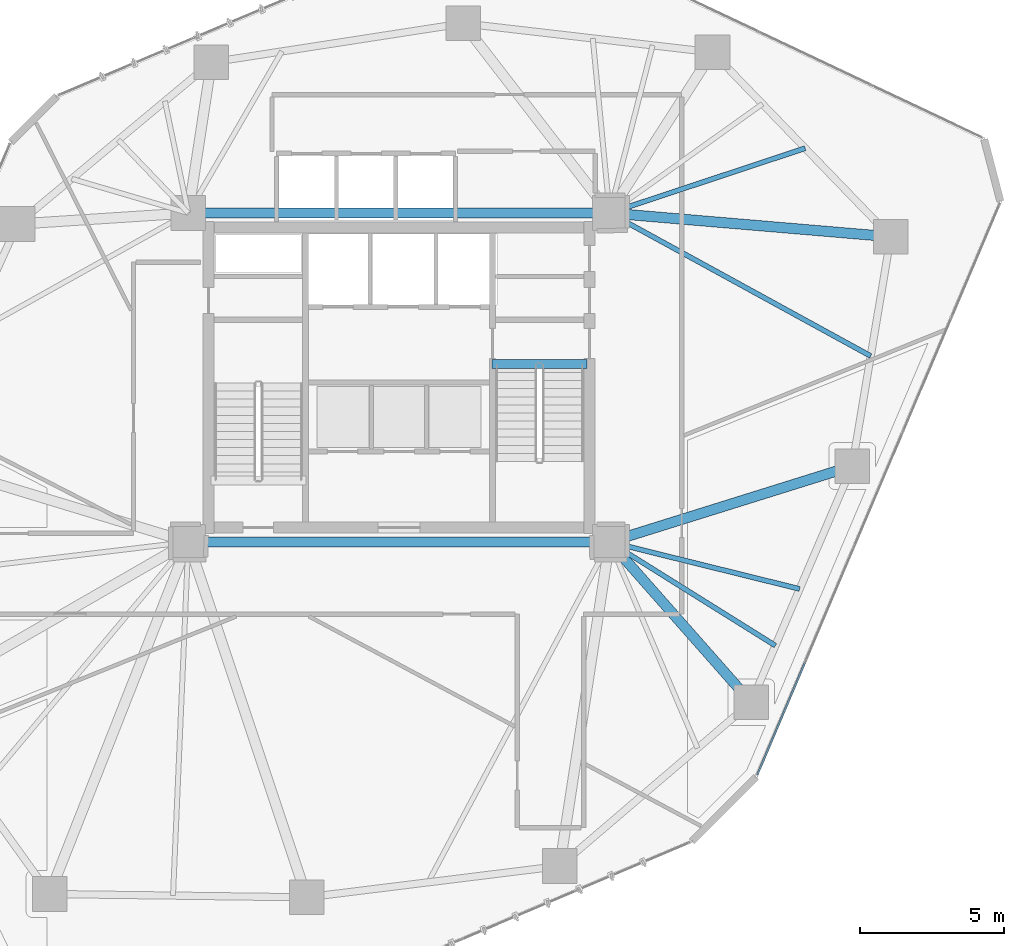
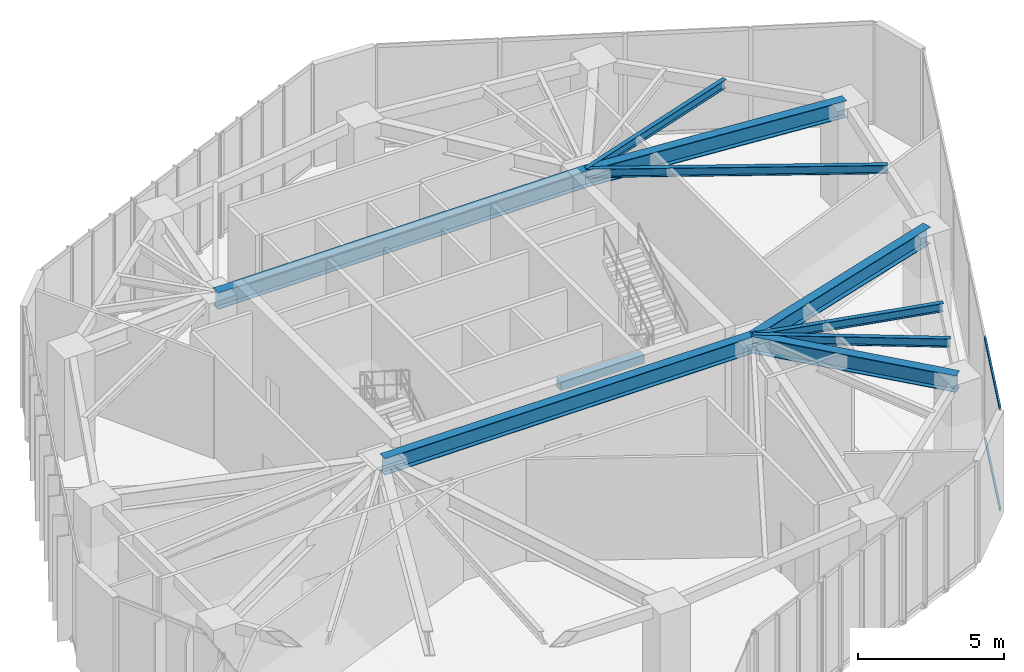
# One storey, part 14 of 28: 10 beams, 2 members, 1 element without a shape of its own.
"""IFC4 building model written with IfcOpenShell, lengths in metres."""

from ifc_helpers import new_model, si_unit, direction, frame, origin, origin_2d, place, context, subcontext, project, spatial, rectangle, hollow_rectangle, i_section, extrude, source, transform, mapped, material, layer, layer_set, material_profile, profile_set, type_object, type_shapes, element, aggregate, save


model = new_model("IFC4")

# Units and contexts
model_context = context("Model", 3, precision=1e-05, world=origin(), true_north=direction((0.0, 1.0)))
body_context = subcontext(model_context, "Body", "Model", "MODEL_VIEW")
ifc_project = project(units=[si_unit("LENGTHUNIT", "METRE"), si_unit("AREAUNIT", "SQUARE_METRE"), si_unit("VOLUMEUNIT", "CUBIC_METRE"), si_unit("PLANEANGLEUNIT", "RADIAN"), si_unit("MASSUNIT", "GRAM", prefix="KILO")], contexts=[model_context])

# Site, building, storey
site_placement = place(None, origin())
site = spatial("IfcSite", under=ifc_project, at=site_placement, CompositionType="ELEMENT")
building_placement = place(site_placement, origin())
building = spatial("IfcBuilding", under=site, at=building_placement, Name="Talar Marvaseh", CompositionType="ELEMENT")
storey_placement = place(building_placement, frame((0.0, 0.0, 157.800048828125)))
storey = spatial("IfcBuildingStorey", under=building, at=storey_placement, Name="L41", CompositionType="ELEMENT", Elevation=157.800048828125)

# Beams
ifc_material_1 = material(Name="Concrete C40/50", Category="concrete")
ifc_material_profile_1 = material_profile(ifc_material_1, rectangle(XDim=0.300048828125, YDim=0.360107421875, at=origin_2d()), Name="RC300x360")
ifc_profile_set_1 = profile_set([ifc_material_profile_1], Name="Concrete C40/50")
beam_type_1 = type_object("IfcBeamType", Name="Concrete Stair Landing Trimmer Beam RC300x360", PredefinedType="SPANDREL", material=ifc_profile_set_1)
beam_1_placement = place(storey_placement, frame((29.219970703125, 31.669921875, -0.179931640625), z_axis=(1.0, 0.0, 0.0), x_axis=(0.0, 1.0, 0.0)))
element("IfcBeam", 1, at=beam_1_placement, inside=storey, type_object=beam_type_1, Name="L41 ST-2 Stair Nosing Trimmer Beam", PredefinedType="SPANDREL", context=body_context, shape_type="SweptSolid", body=[
    extrude(rectangle(XDim=0.300048828125, YDim=0.360107421875, at=origin_2d()), origin(), (0.0, 0.0, 1.0), 3.300048828125),
])
ifc_material_2 = material(Name="Steel S355", Category="steel")
ifc_material_profile_2 = material_profile(ifc_material_2, i_section(OverallWidth=0.35498046875, OverallDepth=0.695068359375, WebThickness=0.015380859375, FlangeThickness=0.02490234375, at=origin_2d()), Name="W690x217")
ifc_profile_set_2 = profile_set([ifc_material_profile_2], Name="Steel S355")
beam_type_2 = type_object("IfcBeamType", Name="Zone 2 Radial Floor Girder W690x217", PredefinedType="BEAM", material=ifc_profile_set_2)
for number, where, z_axis, x_axis, name in (
    (2, (18.699951171875, 25.5, 3.90234375), (1.0, 0.0, 0.0), (0.0, 1.0, 0.0), "L41 Zone 2 Radial Floor Girder W690x217"),
    (3, (18.699951171875, 36.89990234375, 3.90234375), (1.0, 0.0, 0.0), (0.0, 1.0, 0.0), "L41 Zone 2 Radial Floor Girder W690x217"),
):
    element("IfcBeam", number, at=place(storey_placement, frame(where, z_axis=z_axis, x_axis=x_axis)), inside=storey, type_object=beam_type_2, Name=name, PredefinedType="BEAM", context=body_context, shape_type="SweptSolid", body=[
        extrude(i_section(OverallWidth=0.35498046875, OverallDepth=0.695068359375, WebThickness=0.015380859375, FlangeThickness=0.02490234375, at=origin_2d()), origin(), (0.0, 0.0, 1.0), 14.60009765625),
    ])
beam_2_placement = place(storey_placement, frame((43.0439453125, 36.075927734375, 3.90234375), z_axis=(-0.996443598923, 0.084262412527, 0.0), x_axis=(-0.084262412527, -0.996443598923, 0.0)))
element("IfcBeam", 4, at=beam_2_placement, inside=storey, type_object=beam_type_2, Name="L41 Zone 2 Radial Floor Girder W690x217", PredefinedType="BEAM", context=body_context, shape_type="SweptSolid", body=[
    extrude(i_section(OverallWidth=0.35498046875, OverallDepth=0.695068359375, WebThickness=0.015380859375, FlangeThickness=0.02490234375, at=origin_2d()), origin(), (0.0, 0.0, 1.0), 9.778564453125),
])
beam_3_placement = place(storey_placement, frame((41.708984375, 28.1279296875, 3.90234375), z_axis=(-0.954475540106, -0.298289194138, 0.0), x_axis=(0.298289194138, -0.954475540106, 0.0)))
element("IfcBeam", 5, at=beam_3_placement, inside=storey, type_object=beam_type_2, Name="L41 Zone 2 Radial Floor Girder W690x217", PredefinedType="BEAM", context=body_context, shape_type="SweptSolid", body=[
    extrude(i_section(OverallWidth=0.35498046875, OverallDepth=0.695068359375, WebThickness=0.015380859375, FlangeThickness=0.02490234375, at=origin_2d()), origin(), (0.0, 0.0, 1.0), 8.81005859375),
])
beam_4_placement = place(storey_placement, frame((38.2060546875, 19.94091796875, 3.90234375), z_axis=(-0.661692423388, 0.749775390921, 0.0), x_axis=(-0.749775390921, -0.661692423388, 0.0)))
element("IfcBeam", 6, at=beam_4_placement, inside=storey, type_object=beam_type_2, Name="L41 Zone 2 Radial Floor Girder W690x217", PredefinedType="BEAM", context=body_context, shape_type="SweptSolid", body=[
    extrude(i_section(OverallWidth=0.35498046875, OverallDepth=0.695068359375, WebThickness=0.015380859375, FlangeThickness=0.02490234375, at=origin_2d()), origin(), (0.0, 0.0, 1.0), 7.414306640625),
])
ifc_material_profile_3 = material_profile(ifc_material_2, i_section(OverallWidth=0.172119140625, OverallDepth=0.35791015625, WebThickness=0.0078125, FlangeThickness=0.01318359375, at=origin_2d()), Name="W360x57")
ifc_profile_set_3 = profile_set([ifc_material_profile_3], Name="Steel S355")
beam_type_3 = type_object("IfcBeamType", Name="Zone 2 Secondary Floor Joist W360x57", PredefinedType="JOIST", material=ifc_profile_set_3)
beam_5_placement = place(storey_placement, frame((40.07861328125, 39.1455078125, 4.071044921875), z_axis=(-0.949266314022, -0.314473313754, 0.0), x_axis=(0.314473313754, -0.949266314022, 0.0)))
element("IfcBeam", 7, at=beam_5_placement, inside=storey, type_object=beam_type_3, Name="L41 Zone 2 Secondary Floor Joist W360x57", PredefinedType="JOIST", context=body_context, shape_type="SweptSolid", body=[
    extrude(i_section(OverallWidth=0.172119140625, OverallDepth=0.35791015625, WebThickness=0.0078125, FlangeThickness=0.01318359375, at=origin_2d()), origin(), (0.0, 0.0, 1.0), 7.140869140625),
])
beam_6_placement = place(storey_placement, frame((42.349853515625, 31.943115234375, 4.071044921875), z_axis=(-0.877057817553, 0.480384829766, 0.0), x_axis=(-0.480384829766, -0.877057817553, 0.0)))
element("IfcBeam", 8, at=beam_6_placement, inside=storey, type_object=beam_type_3, Name="L41 Zone 2 Secondary Floor Joist W360x57", PredefinedType="JOIST", context=body_context, shape_type="SweptSolid", body=[
    extrude(i_section(OverallWidth=0.172119140625, OverallDepth=0.35791015625, WebThickness=0.0078125, FlangeThickness=0.01318359375, at=origin_2d()), origin(), (0.0, 0.0, 1.0), 10.318359375),
])
beam_7_placement = place(storey_placement, frame((39.887451171875, 23.870849609375, 4.071044921875), z_axis=(-0.970753133019, 0.240079892396, 0.0), x_axis=(-0.240079892396, -0.970753133019, 0.0)))
element("IfcBeam", 9, at=beam_7_placement, inside=storey, type_object=beam_type_3, Name="L41 Zone 2 Secondary Floor Joist W360x57", PredefinedType="JOIST", context=body_context, shape_type="SweptSolid", body=[
    extrude(i_section(OverallWidth=0.172119140625, OverallDepth=0.35791015625, WebThickness=0.0078125, FlangeThickness=0.01318359375, at=origin_2d()), origin(), (0.0, 0.0, 1.0), 6.785888671875),
])
beam_8_placement = place(storey_placement, frame((39.046630859375, 21.906005859375, 4.071044921875), z_axis=(-0.84784042564, 0.530251461715, 0.0), x_axis=(-0.530251461715, -0.84784042564, 0.0)))
element("IfcBeam", 10, at=beam_8_placement, inside=storey, type_object=beam_type_3, Name="L41 Zone 2 Secondary Floor Joist W360x57", PredefinedType="JOIST", context=body_context, shape_type="SweptSolid", body=[
    extrude(i_section(OverallWidth=0.172119140625, OverallDepth=0.35791015625, WebThickness=0.0078125, FlangeThickness=0.01318359375, at=origin_2d()), origin(), (0.0, 0.0, 1.0), 6.77783203125),
])

# Curtain wall, members
ifc_material_3 = material(Name="Architectural Aluminium", Category="aluminium")
ifc_layer = layer(ifc_material_3, 0.239990234375)
ifc_layer_set = layer_set([ifc_layer], Name="Architectural Aluminium")
curtain_wall_type = type_object("IfcCurtainWallType", Name="Observation Sky Gallery Structural Glass Wall", PredefinedType="NOTDEFINED", material=ifc_layer_set)
curtain_wall_placement = place(storey_placement, origin())
curtain_wall = element("IfcCurtainWall", 11, at=curtain_wall_placement, inside=storey, type_object=curtain_wall_type, Name="L41 Observation Sky Gallery Structural Glass Wall", PredefinedType="NOTDEFINED")
ifc_material_profile_4 = material_profile(ifc_material_3, hollow_rectangle(XDim=0.06494140625, YDim=0.14990234375, WallThickness=0.00390625, at=origin_2d()), Name="RHS150x65x4")
ifc_profile_set_4 = profile_set([ifc_material_profile_4], Name="Architectural Aluminium")
member_type = type_object("IfcMemberType", Name="Unitised Curtain Wall Slim Transom RHS150x65x4", PredefinedType="USERDEFINED", material=ifc_profile_set_4)
shared_shape = source(origin(), body_context, "Body", "SweptSolid", [
    extrude(hollow_rectangle(XDim=0.06494140625, YDim=0.14990234375, WallThickness=0.00390625, at=origin_2d()), origin(), (0.0, 0.0, 1.0), 4.22607421875),
])
type_shapes(member_type, [shared_shape])
member_1_placement = place(storey_placement, frame((40.070068359375, 21.319580078125, 0.032470703125), z_axis=(-0.390870276839, -0.920445776069, 0.0), x_axis=(0.920445776069, -0.390870276839, 0.0)))
member_1 = element("IfcMember", 12, at=member_1_placement, type_object=member_type, Name="CW-OBS transom 5.1", ObjectType="TRANSOM", PredefinedType="USERDEFINED", context=body_context, shape_type="MappedRepresentation", body=[
    mapped(shared_shape, transform((0.0, 0.0, 0.0), x_axis=(1.0, 0.0, 0.0), y_axis=(0.0, 1.0, 0.0), z_axis=(0.0, 0.0, 1.0), scale=1.0)),
])
member_2_placement = place(storey_placement, frame((40.070068359375, 21.319580078125, 4.217529296875), z_axis=(-0.390870276839, -0.920445776069, 0.0), x_axis=(0.920445776069, -0.390870276839, 0.0)))
member_2 = element("IfcMember", 13, at=member_2_placement, type_object=member_type, Name="CW-OBS transom 5.2", ObjectType="TRANSOM", PredefinedType="USERDEFINED", context=body_context, shape_type="MappedRepresentation", body=[
    mapped(shared_shape, transform((0.0, 0.0, 0.0), x_axis=(1.0, 0.0, 0.0), y_axis=(0.0, 1.0, 0.0), z_axis=(0.0, 0.0, 1.0), scale=1.0)),
])
aggregate(curtain_wall, [member_1, member_2])

save(model, "model.ifc")
